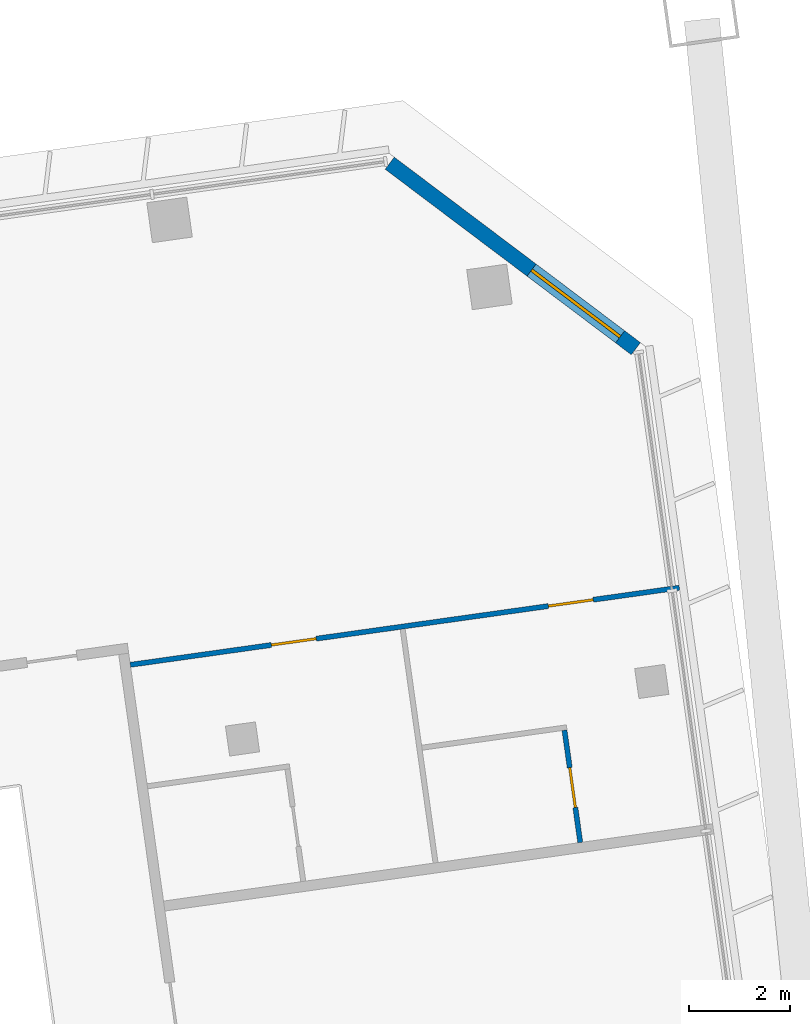
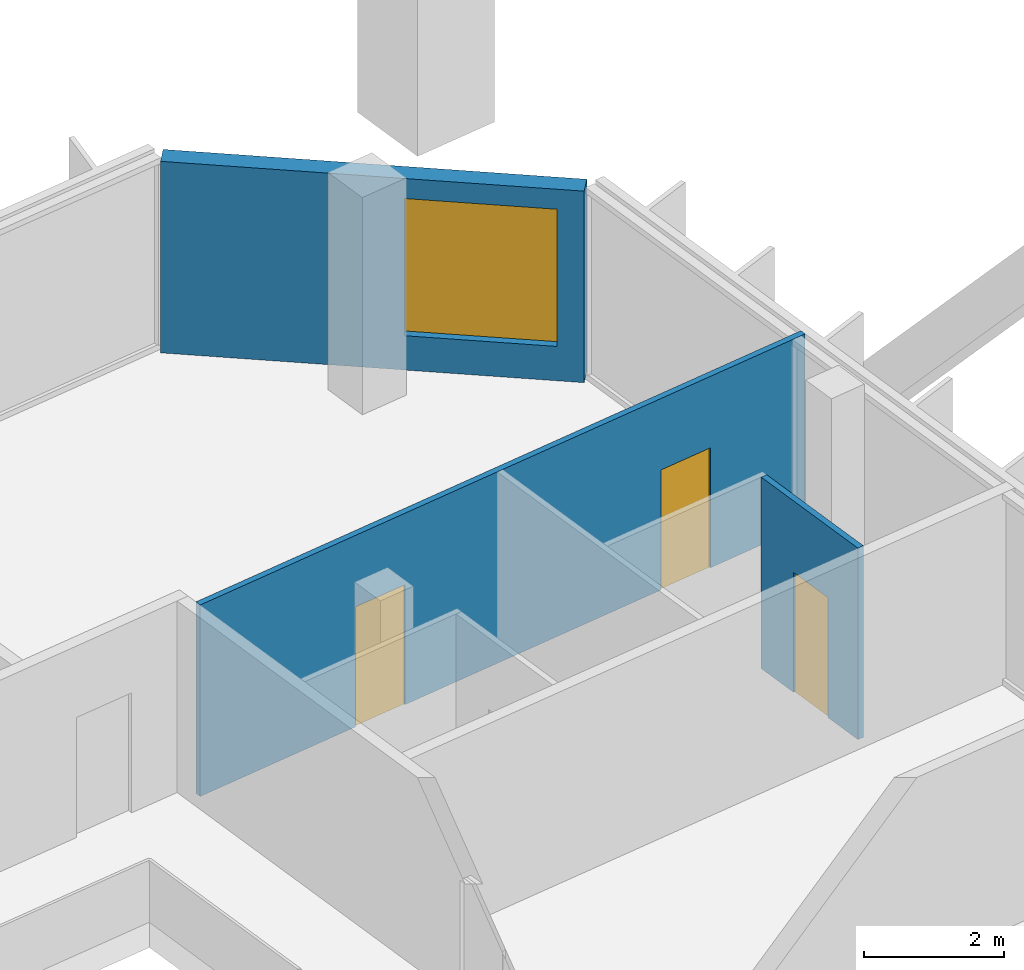
# One storey, part 20 of 23: 3 doors, 3 walls, 1 window, 4 openings.
"""IFC4 building model written with IfcOpenShell, lengths in metres."""

from ifc_helpers import new_model, si_unit, direction, frame, frame_2d, origin, place, context, subcontext, project, spatial, rectangle, extrude, material, layer, layer_set, type_object, element, fill, save


model = new_model("IFC4")

# Units and contexts
model_context = context("Model", 3, precision=1e-05, world=origin(), true_north=direction((0.0, 1.0)))
body_context = subcontext(model_context, "Body", "Model", "MODEL_VIEW")
ifc_project = project(units=[si_unit("LENGTHUNIT", "METRE"), si_unit("AREAUNIT", "SQUARE_METRE"), si_unit("VOLUMEUNIT", "CUBIC_METRE"), si_unit("PLANEANGLEUNIT", "RADIAN"), si_unit("MASSUNIT", "GRAM", prefix="KILO")], contexts=[model_context])

# Site, building, storey
site_placement = place(None, origin())
site = spatial("IfcSite", under=ifc_project, at=site_placement, CompositionType="ELEMENT")
building_placement = place(site_placement, origin())
building = spatial("IfcBuilding", under=site, at=building_placement, Name="Mirante Cascada Hotel Towers", CompositionType="ELEMENT")
storey_placement = place(building_placement, frame((0.0, 0.0, 195.4)))
storey = spatial("IfcBuildingStorey", under=building, at=storey_placement, Name="L46", CompositionType="ELEMENT", Elevation=195.4)

# Wall, openings, doors
ifc_material_1 = material(Name="Plasterboard on metal studs")
ifc_layer_1 = layer(ifc_material_1, 0.1)
ifc_layer_set_1 = layer_set([ifc_layer_1], Name="Partition 100")
wall_type_1 = type_object("IfcWallType", Name="Partition 100", PredefinedType="PARTITIONING", material=ifc_layer_set_1)
wall_1_placement = place(storey_placement, frame((82.1291, 15.088, 0.0), z_axis=(0.0, 0.0, 1.0), x_axis=(-0.990268, -0.1391733, 0.0)))
wall_1 = element("IfcWall", 1, at=wall_1_placement, inside=storey, type_object=wall_type_1, Name="Wall 2-L46-14", PredefinedType="PARTITIONING", context=body_context, shape_type="SweptSolid", body=[
    extrude(rectangle(XDim=11.0, YDim=0.1, at=frame_2d((5.5, 0.0))), origin(), (0.0, 0.0, 1.0), 3.35),
])
opening_1_placement = place(wall_1_placement, frame((7.275, 0.0, 0.0)))
opening_1 = element("IfcOpeningElement", 2, at=opening_1_placement, cuts=wall_1, Name="Opening D2-L46-04", PredefinedType="OPENING", context=body_context, shape_type="SweptSolid", body=[
    extrude(rectangle(XDim=0.9, YDim=2.1, at=frame_2d((0.45, 1.05))), frame((0.0, 0.05, 0.0), z_axis=(0.0, -1.0, 0.0), x_axis=(1.0, 0.0, 0.0)), (0.0, 0.0, 1.0), 0.1),
])
opening_2_placement = place(wall_1_placement, frame((1.725, 0.0, 0.0)))
opening_2 = element("IfcOpeningElement", 3, at=opening_2_placement, cuts=wall_1, Name="Opening D2-L46-05", PredefinedType="OPENING", context=body_context, shape_type="SweptSolid", body=[
    extrude(rectangle(XDim=0.9, YDim=2.1, at=frame_2d((0.45, 1.05))), frame((0.0, 0.05, 0.0), z_axis=(0.0, -1.0, 0.0), x_axis=(1.0, 0.0, 0.0)), (0.0, 0.0, 1.0), 0.1),
])
ifc_material_2 = material(Name="Timber door leaf", Category="wood")
door_type_1 = type_object("IfcDoorType", Name="Room door DG3 900x2100", OperationType="SINGLE_SWING_LEFT", PredefinedType="DOOR", material=ifc_material_2)
door_1_placement = place(opening_1_placement, frame((0.9, 0.0, 0.0), z_axis=(0.0, 0.0, 1.0), x_axis=(-1.0, 0.0, 0.0)))
door_1 = element("IfcDoor", 4, at=door_1_placement, inside=storey, type_object=door_type_1, Name="Door D2-L46-04", OperationType="SINGLE_SWING_RIGHT", OverallHeight=2.1, OverallWidth=0.9, PredefinedType="DOOR", context=body_context, shape_type="SweptSolid", body=[
    extrude(rectangle(XDim=0.9, YDim=2.1, at=frame_2d((0.45, 1.05))), frame((0.0, 0.025, 0.0), z_axis=(0.0, -1.0, 0.0), x_axis=(1.0, 0.0, 0.0)), (0.0, 0.0, 1.0), 0.05),
])
fill(opening_1, door_1)
door_2_placement = place(opening_2_placement, frame((0.9, 0.0, 0.0), z_axis=(0.0, 0.0, 1.0), x_axis=(-1.0, 0.0, 0.0)))
door_2 = element("IfcDoor", 5, at=door_2_placement, inside=storey, type_object=door_type_1, Name="Door D2-L46-05", OperationType="SINGLE_SWING_RIGHT", OverallHeight=2.1, OverallWidth=0.9, PredefinedType="DOOR", context=body_context, shape_type="SweptSolid", body=[
    extrude(rectangle(XDim=0.9, YDim=2.1, at=frame_2d((0.45, 1.05))), frame((0.0, 0.025, 0.0), z_axis=(0.0, -1.0, 0.0), x_axis=(1.0, 0.0, 0.0)), (0.0, 0.0, 1.0), 0.05),
])
fill(opening_2, door_2)

# Wall, opening, door
wall_2_placement = place(storey_placement, frame((79.8505, 12.2599, 0.0), z_axis=(0.0, 0.0, 1.0), x_axis=(0.1391997, -0.9902643, 0.0)))
wall_2 = element("IfcWall", 6, at=wall_2_placement, inside=storey, type_object=wall_type_1, Name="Wall 2-L46-52", PredefinedType="PARTITIONING", context=body_context, shape_type="SweptSolid", body=[
    extrude(rectangle(XDim=2.25, YDim=0.1, at=frame_2d((1.125, 0.0))), origin(), (0.0, 0.0, 1.0), 3.35),
])
opening_3_placement = place(wall_2_placement, frame((0.75, 0.0, 0.0)))
opening_3 = element("IfcOpeningElement", 7, at=opening_3_placement, cuts=wall_2, Name="Opening D2-L46-30", PredefinedType="OPENING", context=body_context, shape_type="SweptSolid", body=[
    extrude(rectangle(XDim=0.8, YDim=2.1, at=frame_2d((0.4, 1.05))), frame((0.0, 0.05, 0.0), z_axis=(0.0, -1.0, 0.0), x_axis=(1.0, 0.0, 0.0)), (0.0, 0.0, 1.0), 0.1),
])
ifc_material_3 = material(Name="Timber door leaf", Category="wood")
door_type_2 = type_object("IfcDoorType", Name="Bathroom door DG4 800x2100", OperationType="SINGLE_SWING_LEFT", PredefinedType="DOOR", material=ifc_material_3)
door_3_placement = place(opening_3_placement, frame((0.8, 0.0, 0.0), z_axis=(0.0, 0.0, 1.0), x_axis=(-1.0, 0.0, 0.0)))
door_3 = element("IfcDoor", 8, at=door_3_placement, inside=storey, type_object=door_type_2, Name="Door D2-L46-30", OperationType="SINGLE_SWING_RIGHT", OverallHeight=2.1, OverallWidth=0.8, PredefinedType="DOOR", context=body_context, shape_type="SweptSolid", body=[
    extrude(rectangle(XDim=0.8, YDim=2.1, at=frame_2d((0.4, 1.05))), frame((0.0, 0.025, 0.0), z_axis=(0.0, -1.0, 0.0), x_axis=(1.0, 0.0, 0.0)), (0.0, 0.0, 1.0), 0.05),
])
fill(opening_3, door_3)

# Wall, opening, window
ifc_material_4 = material(Name="Precast concrete C40/50", Category="concrete")
ifc_layer_2 = layer(ifc_material_4, 0.3)
ifc_layer_set_2 = layer_set([ifc_layer_2], Name="Precast concrete C40/50 cladding wall 300")
wall_type_2 = type_object("IfcWallType", Name="Precast concrete C40/50 cladding wall 300", PredefinedType="STANDARD", material=ifc_layer_set_2)
wall_3_placement = place(storey_placement, frame((81.2671, 19.8291, 0.0), z_axis=(0.0, 0.0, 1.0), x_axis=(-0.7986343, 0.6018167, 0.0)))
wall_3 = element("IfcWall", 9, at=wall_3_placement, inside=storey, type_object=wall_type_2, Name="Corner cladding wall T2 L46 outer front", PredefinedType="STANDARD", context=body_context, shape_type="SweptSolid", body=[
    extrude(rectangle(XDim=6.1158, YDim=0.3, at=frame_2d((3.0579, 0.0))), origin(), (0.0, 0.0, 1.0), 3.35),
])
opening_4_placement = place(wall_3_placement, frame((0.3914, 0.0, 0.6)))
opening_4 = element("IfcOpeningElement", 10, at=opening_4_placement, cuts=wall_3, Name="Opening W2-46-02", PredefinedType="OPENING", context=body_context, shape_type="SweptSolid", body=[
    extrude(rectangle(XDim=2.2, YDim=2.4, at=frame_2d((1.1, 1.2))), frame((0.0, 0.15, 0.0), z_axis=(0.0, -1.0, 0.0), x_axis=(1.0, 0.0, 0.0)), (0.0, 0.0, 1.0), 0.3),
])
ifc_material_5 = material(Name="Aluminium frame with clear double glazing", Category="aluminium")
window_type = type_object("IfcWindowType", Name="Corner suite window 2200x2400", PartitioningType="DOUBLE_PANEL_VERTICAL", PredefinedType="WINDOW", material=ifc_material_5)
window_placement = place(opening_4_placement, origin())
window = element("IfcWindow", 11, at=window_placement, inside=storey, type_object=window_type, Name="Window W2-46-02", OverallHeight=2.4, OverallWidth=2.2, PartitioningType="SINGLE_PANEL", PredefinedType="WINDOW", context=body_context, shape_type="SweptSolid", body=[
    extrude(rectangle(XDim=2.2, YDim=2.4, at=frame_2d((1.1, 1.2))), frame((0.0, 0.03, 0.0), z_axis=(0.0, -1.0, 0.0), x_axis=(1.0, 0.0, 0.0)), (0.0, 0.0, 1.0), 0.06),
])
fill(opening_4, window)

save(model, "model.ifc")
